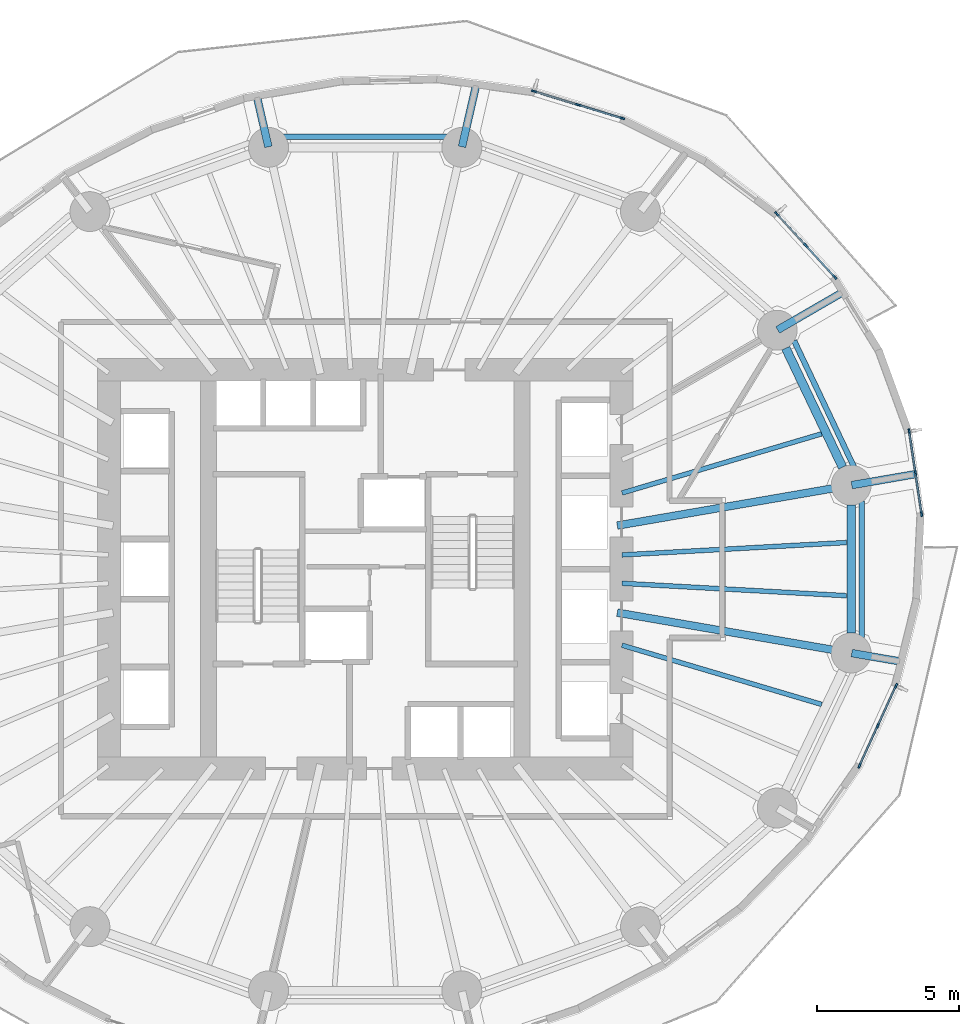
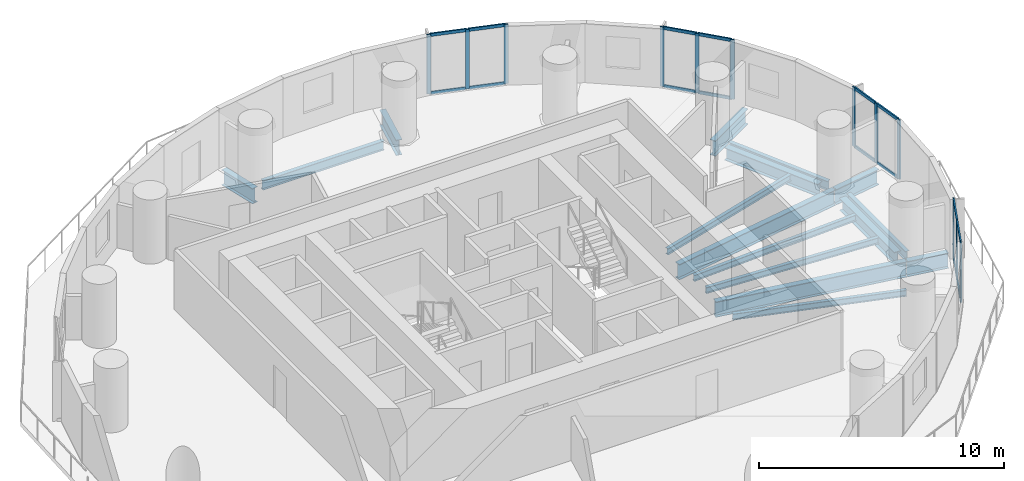
# One storey, part 5 of 13: 28 members, 16 beams, 4 elements without a shape of their own.
"""IFC4 building model written with IfcOpenShell, lengths in metres."""

from ifc_helpers import new_model, si_unit, direction, frame, origin, origin_2d, place, context, subcontext, project, spatial, rectangle, i_section, extrude, material, material_profile, profile_set, type_object, element, aggregate, save


model = new_model("IFC4")

# Units and contexts
model_context = context("Model", 3, precision=1e-05, world=origin(), true_north=direction((0.0, 1.0)))
body_context = subcontext(model_context, "Body", "Model", "MODEL_VIEW")
ifc_project = project(units=[si_unit("LENGTHUNIT", "METRE"), si_unit("AREAUNIT", "SQUARE_METRE"), si_unit("VOLUMEUNIT", "CUBIC_METRE"), si_unit("PLANEANGLEUNIT", "RADIAN"), si_unit("MASSUNIT", "GRAM", prefix="KILO")], contexts=[model_context])

# Site, building, storey
site_placement = place(None, origin())
site = spatial("IfcSite", under=ifc_project, at=site_placement, CompositionType="ELEMENT")
building_placement = place(site_placement, origin())
building = spatial("IfcBuilding", under=site, at=building_placement, Name="Veldorim Arch Residences", CompositionType="ELEMENT")
storey_placement = place(building_placement, frame((0.0, 0.0, 60.0)))
storey = spatial("IfcBuildingStorey", under=building, at=storey_placement, Name="L17", CompositionType="ELEMENT", Elevation=60.0)

# Beams
ifc_material_1 = material(Name="Steel S355", Category="steel")
ifc_material_profile_1 = material_profile(ifc_material_1, i_section(OverallWidth=0.30712890625, OverallDepth=0.6201171875, WebThickness=0.01416015625, FlangeThickness=0.023681640625, at=origin_2d()), Name="UB610x305x179")
ifc_profile_set_1 = profile_set([ifc_material_profile_1], Name="Steel S355")
beam_type_1 = type_object("IfcBeamType", Name="Structural Steel Beam UB610x305x179", PredefinedType="BEAM", material=ifc_profile_set_1)
beam_1_placement = place(storey_placement, frame((48.76416015625, 27.57763671875, -0.550048828125), z_axis=(-0.430776422552, 0.902458682585, 0.0), x_axis=(-0.902458682585, -0.430776422552, 0.0)))
element("IfcBeam", 1, at=beam_1_placement, inside=storey, type_object=beam_type_1, Name="L17 perimeter ring tie beam 01", PredefinedType="BEAM", context=body_context, shape_type="SweptSolid", body=[
    extrude(i_section(OverallWidth=0.30712890625, OverallDepth=0.6201171875, WebThickness=0.01416015625, FlangeThickness=0.023681640625, at=origin_2d()), origin(), (0.0, 0.0, 1.0), 4.63134765625),
])
beam_2_placement = place(storey_placement, frame((49.065673828125, 21.754150390625, -0.550048828125), z_axis=(0.0, 1.0, 0.0), x_axis=(-1.0, 0.0, 0.0)))
element("IfcBeam", 2, at=beam_2_placement, inside=storey, type_object=beam_type_1, Name="L17 perimeter ring tie beam 16", PredefinedType="BEAM", context=body_context, shape_type="SweptSolid", body=[
    extrude(i_section(OverallWidth=0.30712890625, OverallDepth=0.6201171875, WebThickness=0.01416015625, FlangeThickness=0.023681640625, at=origin_2d()), origin(), (0.0, 0.0, 1.0), 4.49169921875),
])
ifc_material_2 = material(Name="Steel S355", Category="steel")
ifc_material_profile_2 = material_profile(ifc_material_2, i_section(OverallWidth=0.26806640625, OverallDepth=0.769775390625, WebThickness=0.015625, FlangeThickness=0.025390625, at=origin_2d()), Name="UB762x267x197")
ifc_profile_set_2 = profile_set([ifc_material_profile_2], Name="Steel S355")
beam_type_2 = type_object("IfcBeamType", Name="Structural Steel GIRDER UB762x267x197", PredefinedType="USERDEFINED", material=ifc_profile_set_2)
beam_3_placement = place(storey_placement, frame((40.852294921875, 25.528076171875, -0.625), z_axis=(0.985427548249, 0.170095699979, 0.0), x_axis=(-0.170095699979, 0.985427548249, 0.0)))
element("IfcBeam", 3, at=beam_3_placement, inside=storey, type_object=beam_type_2, Name="L17 radial floor girder 01", ObjectType="GIRDER", PredefinedType="USERDEFINED", context=body_context, shape_type="SweptSolid", body=[
    extrude(i_section(OverallWidth=0.26806640625, OverallDepth=0.769775390625, WebThickness=0.015625, FlangeThickness=0.025390625, at=origin_2d()), origin(), (0.0, 0.0, 1.0), 8.314697265625),
])
beam_4_placement = place(storey_placement, frame((49.08544921875, 26.94921875, -0.625), z_axis=(0.985416557393, 0.170159361823, 0.0), x_axis=(-0.170159361823, 0.985416557393, 0.0)))
element("IfcBeam", 4, at=beam_4_placement, inside=storey, type_object=beam_type_2, Name="L17 radial edge cantilever girder 01", ObjectType="GIRDER", PredefinedType="USERDEFINED", context=body_context, shape_type="SweptSolid", body=[
    extrude(i_section(OverallWidth=0.26806640625, OverallDepth=0.769775390625, WebThickness=0.015625, FlangeThickness=0.025390625, at=origin_2d()), origin(), (0.0, 0.0, 1.0), 2.266845703125),
])
beam_5_placement = place(storey_placement, frame((46.48486328125, 32.399169921875, -0.625), z_axis=(0.865096946632, 0.501604697873, 0.0), x_axis=(-0.501604697873, 0.865096946632, 0.0)))
element("IfcBeam", 5, at=beam_5_placement, inside=storey, type_object=beam_type_2, Name="L17 radial edge cantilever girder 02", ObjectType="GIRDER", PredefinedType="USERDEFINED", context=body_context, shape_type="SweptSolid", body=[
    extrude(i_section(OverallWidth=0.26806640625, OverallDepth=0.769775390625, WebThickness=0.015625, FlangeThickness=0.025390625, at=origin_2d()), origin(), (0.0, 0.0, 1.0), 2.674560546875),
])
beam_6_placement = place(storey_placement, frame((35.399169921875, 38.829345703125, -0.625), z_axis=(0.223412195032, 0.974724058958, 0.0), x_axis=(-0.974724058958, 0.223412195032, 0.0)))
element("IfcBeam", 6, at=beam_6_placement, inside=storey, type_object=beam_type_2, Name="L17 radial edge cantilever girder 04", ObjectType="GIRDER", PredefinedType="USERDEFINED", context=body_context, shape_type="SweptSolid", body=[
    extrude(i_section(OverallWidth=0.26806640625, OverallDepth=0.769775390625, WebThickness=0.015625, FlangeThickness=0.025390625, at=origin_2d()), origin(), (0.0, 0.0, 1.0), 2.279541015625),
])
beam_7_placement = place(storey_placement, frame((28.600830078125, 38.829345703125, -0.625), z_axis=(-0.223430723237, 0.974719812004, 0.0), x_axis=(-0.974719812004, -0.223430723237, 0.0)))
element("IfcBeam", 7, at=beam_7_placement, inside=storey, type_object=beam_type_2, Name="L17 radial edge cantilever girder 05", ObjectType="GIRDER", PredefinedType="USERDEFINED", context=body_context, shape_type="SweptSolid", body=[
    extrude(i_section(OverallWidth=0.26806640625, OverallDepth=0.769775390625, WebThickness=0.015625, FlangeThickness=0.025390625, at=origin_2d()), origin(), (0.0, 0.0, 1.0), 1.85986328125),
])
beam_8_placement = place(storey_placement, frame((40.852294921875, 22.471923828125, -0.625), z_axis=(0.985427548249, -0.170095699979, 0.0), x_axis=(0.170095699979, 0.985427548249, 0.0)))
element("IfcBeam", 8, at=beam_8_placement, inside=storey, type_object=beam_type_2, Name="L17 radial floor girder 16", ObjectType="GIRDER", PredefinedType="USERDEFINED", context=body_context, shape_type="SweptSolid", body=[
    extrude(i_section(OverallWidth=0.26806640625, OverallDepth=0.769775390625, WebThickness=0.015625, FlangeThickness=0.025390625, at=origin_2d()), origin(), (0.0, 0.0, 1.0), 8.314697265625),
])
beam_9_placement = place(storey_placement, frame((49.08544921875, 21.05078125, -0.625), z_axis=(0.985421461272, -0.170130960336, 0.0), x_axis=(0.170130960336, 0.985421461272, 0.0)))
element("IfcBeam", 9, at=beam_9_placement, inside=storey, type_object=beam_type_2, Name="L17 radial edge cantilever girder 16", ObjectType="GIRDER", PredefinedType="USERDEFINED", context=body_context, shape_type="SweptSolid", body=[
    extrude(i_section(OverallWidth=0.26806640625, OverallDepth=0.769775390625, WebThickness=0.015625, FlangeThickness=0.025390625, at=origin_2d()), origin(), (0.0, 0.0, 1.0), 1.7880859375),
])
ifc_material_3 = material(Name="Steel S355", Category="steel")
ifc_material_profile_3 = material_profile(ifc_material_3, i_section(OverallWidth=0.165771484375, OverallDepth=0.306640625, WebThickness=0.006591796875, FlangeThickness=0.01171875, at=origin_2d()), Name="UB305x165x46")
ifc_profile_set_3 = profile_set([ifc_material_profile_3], Name="Steel S355")
beam_type_3 = type_object("IfcBeamType", Name="Structural Steel Joist UB305x165x46", PredefinedType="JOIST", material=ifc_profile_set_3)
for number, where, z_axis, x_axis, name in (
    (10, (41.019287109375, 26.67333984375, -0.393310546875), (0.958766778771, 0.284194060325, 0.0), (-0.284194060325, 0.958766778771, 0.0), "L17 secondary radial floor joist 01-1"),
    (11, (41.019287109375, 21.32666015625, -0.393310546875), (0.958766778771, -0.284194060325, 0.0), (0.284194060325, 0.958766778771, 0.0), "L17 secondary radial floor joist 15-2"),
):
    element("IfcBeam", number, at=place(storey_placement, frame(where, z_axis=z_axis, x_axis=x_axis)), inside=storey, type_object=beam_type_3, Name=name, PredefinedType="JOIST", context=body_context, shape_type="SweptSolid", body=[
        extrude(i_section(OverallWidth=0.165771484375, OverallDepth=0.306640625, WebThickness=0.006591796875, FlangeThickness=0.01171875, at=origin_2d()), origin(), (0.0, 0.0, 1.0), 7.3115234375),
    ])
for number, where, z_axis, x_axis, name in (
    (12, (41.02001953125, 23.501708984375, -0.393310546875), (0.998478371109, -0.055144740699, 0.0), (0.055144740699, 0.998478371109, 0.0), "L17 secondary radial floor joist 16-1"),
    (13, (41.02001953125, 24.498291015625, -0.393310546875), (0.998478371109, 0.055144740699, 0.0), (-0.055144740699, 0.998478371109, 0.0), "L17 secondary radial floor joist 16-2"),
):
    element("IfcBeam", number, at=place(storey_placement, frame(where, z_axis=z_axis, x_axis=x_axis)), inside=storey, type_object=beam_type_3, Name=name, PredefinedType="JOIST", context=body_context, shape_type="SweptSolid", body=[
        extrude(i_section(OverallWidth=0.165771484375, OverallDepth=0.306640625, WebThickness=0.006591796875, FlangeThickness=0.01171875, at=origin_2d()), origin(), (0.0, 0.0, 1.0), 7.898193359375),
    ])
ifc_material_4 = material(Name="Steel S355", Category="steel")
ifc_material_profile_4 = material_profile(ifc_material_4, i_section(OverallWidth=0.19140625, OverallDepth=0.4599609375, WebThickness=0.010009765625, FlangeThickness=0.01611328125, at=origin_2d()), Name="UB457x191x82")
ifc_profile_set_4 = profile_set([ifc_material_profile_4], Name="Steel S355")
beam_type_4 = type_object("IfcBeamType", Name="Structural Steel Spandrel UB457x191x82", PredefinedType="SPANDREL", material=ifc_profile_set_4)
beam_10_placement = place(storey_placement, frame((49.176025390625, 27.56689453125, -0.489990234375), z_axis=(-0.428847831425, 0.903376741721, 0.0), x_axis=(-0.903376741721, -0.428847831425, 0.0)))
element("IfcBeam", 14, at=beam_10_placement, inside=storey, type_object=beam_type_4, Name="L17 perimeter chord spandrel beam 01", PredefinedType="SPANDREL", context=body_context, shape_type="SweptSolid", body=[
    extrude(i_section(OverallWidth=0.19140625, OverallDepth=0.4599609375, WebThickness=0.010009765625, FlangeThickness=0.01611328125, at=origin_2d()), origin(), (0.0, 0.0, 1.0), 4.932861328125),
])
beam_11_placement = place(storey_placement, frame((34.863525390625, 39.180419921875, -0.489990234375), z_axis=(-1.0, 0.0, 0.0), x_axis=(0.0, -1.0, 0.0)))
element("IfcBeam", 15, at=beam_11_placement, inside=storey, type_object=beam_type_4, Name="L17 perimeter chord spandrel beam 04", PredefinedType="SPANDREL", context=body_context, shape_type="SweptSolid", body=[
    extrude(i_section(OverallWidth=0.19140625, OverallDepth=0.4599609375, WebThickness=0.010009765625, FlangeThickness=0.01611328125, at=origin_2d()), origin(), (0.0, 0.0, 1.0), 5.72705078125),
])
beam_12_placement = place(storey_placement, frame((49.440185546875, 21.60546875, -0.489990234375), z_axis=(0.0, 1.0, 0.0), x_axis=(-1.0, 0.0, 0.0)))
element("IfcBeam", 16, at=beam_12_placement, inside=storey, type_object=beam_type_4, Name="L17 perimeter chord spandrel beam 16", PredefinedType="SPANDREL", context=body_context, shape_type="SweptSolid", body=[
    extrude(i_section(OverallWidth=0.19140625, OverallDepth=0.4599609375, WebThickness=0.010009765625, FlangeThickness=0.01611328125, at=origin_2d()), origin(), (0.0, 0.0, 1.0), 4.7890625),
])

# Curtain wall, members
ifc_material_5 = material(Name="Aluminium", Category="aluminium")
curtain_wall_type = type_object("IfcCurtainWallType", Name="Zone 1 Acoustic Low-E Unitised Curtain Wall", PredefinedType="NOTDEFINED", material=ifc_material_5)
curtain_wall_1_placement = place(storey_placement, origin())
curtain_wall_1 = element("IfcCurtainWall", 17, at=curtain_wall_1_placement, inside=storey, type_object=curtain_wall_type, Name="L17 unitised curtain wall bay 03", PredefinedType="NOTDEFINED")
ifc_material_6 = material(Name="Aluminium", Category="aluminium")
ifc_material_profile_5 = material_profile(ifc_material_6, rectangle(XDim=0.06494140625, YDim=0.175048828125, at=origin_2d()), Name="ALU_MUL_65x175")
ifc_profile_set_5 = profile_set([ifc_material_profile_5], Name="Aluminium")
member_type_1 = type_object("IfcMemberType", Name="Zone 1 Acoustic Low-E Unitised Curtain Wall Mullion 65x175", PredefinedType="MULLION", material=ifc_profile_set_5)
member_1_placement = place(storey_placement, frame((46.451904296875, 36.47900390625, 0.0), z_axis=(0.0, 0.0, 1.0), x_axis=(0.737193171901, 0.675682046012, 0.0)))
member_1 = element("IfcMember", 18, at=member_1_placement, type_object=member_type_1, Name="CW-Z1 mullion 1", PredefinedType="MULLION", context=body_context, shape_type="SweptSolid", body=[
    extrude(rectangle(XDim=0.06494140625, YDim=0.175048828125, at=origin_2d()), origin(), (0.0, 0.0, 1.0), 2.9599609375),
])
member_2_placement = place(storey_placement, frame((47.4716796875, 35.3662109375, 0.0), z_axis=(0.0, 0.0, 1.0), x_axis=(0.737193171901, 0.675682046012, 0.0)))
member_2 = element("IfcMember", 19, at=member_2_placement, type_object=member_type_1, Name="CW-Z1 mullion 2", PredefinedType="MULLION", context=body_context, shape_type="SweptSolid", body=[
    extrude(rectangle(XDim=0.06494140625, YDim=0.175048828125, at=origin_2d()), origin(), (0.0, 0.0, 1.0), 2.9599609375),
])
member_3_placement = place(storey_placement, frame((48.49169921875, 34.25341796875, 0.0), z_axis=(0.0, 0.0, 1.0), x_axis=(0.737193171901, 0.675682046012, 0.0)))
member_3 = element("IfcMember", 20, at=member_3_placement, type_object=member_type_1, Name="CW-Z1 mullion 3", PredefinedType="MULLION", context=body_context, shape_type="SweptSolid", body=[
    extrude(rectangle(XDim=0.06494140625, YDim=0.175048828125, at=origin_2d()), origin(), (0.0, 0.0, 1.0), 2.9599609375),
])

curtain_wall_2_placement = place(storey_placement, origin())
curtain_wall_2 = element("IfcCurtainWall", 21, at=curtain_wall_2_placement, inside=storey, type_object=curtain_wall_type, Name="L17 unitised curtain wall bay 06", PredefinedType="NOTDEFINED")
member_4_placement = place(storey_placement, frame((37.924560546875, 40.78173828125, 0.0), z_axis=(0.0, 0.0, 1.0), x_axis=(0.292851853901, 0.956157827802, 0.0)))
member_4 = element("IfcMember", 22, at=member_4_placement, type_object=member_type_1, Name="CW-Z1 mullion 1", PredefinedType="MULLION", context=body_context, shape_type="SweptSolid", body=[
    extrude(rectangle(XDim=0.06494140625, YDim=0.175048828125, at=origin_2d()), origin(), (0.0, 0.0, 1.0), 2.9599609375),
])
member_5_placement = place(storey_placement, frame((39.4755859375, 40.306640625, 0.0), z_axis=(0.0, 0.0, 1.0), x_axis=(0.292851853901, 0.956157827802, 0.0)))
member_5 = element("IfcMember", 23, at=member_5_placement, type_object=member_type_1, Name="CW-Z1 mullion 2", PredefinedType="MULLION", context=body_context, shape_type="SweptSolid", body=[
    extrude(rectangle(XDim=0.06494140625, YDim=0.175048828125, at=origin_2d()), origin(), (0.0, 0.0, 1.0), 2.9599609375),
])
member_6_placement = place(storey_placement, frame((41.026611328125, 39.83154296875, 0.0), z_axis=(0.0, 0.0, 1.0), x_axis=(0.292851853901, 0.956157827802, 0.0)))
member_6 = element("IfcMember", 24, at=member_6_placement, type_object=member_type_1, Name="CW-Z1 mullion 3", PredefinedType="MULLION", context=body_context, shape_type="SweptSolid", body=[
    extrude(rectangle(XDim=0.06494140625, YDim=0.175048828125, at=origin_2d()), origin(), (0.0, 0.0, 1.0), 2.9599609375),
])

curtain_wall_3_placement = place(storey_placement, origin())
curtain_wall_3 = element("IfcCurtainWall", 25, at=curtain_wall_3_placement, inside=storey, type_object=curtain_wall_type, Name="L17 unitised curtain wall bay 33", PredefinedType="NOTDEFINED")
member_7_placement = place(storey_placement, frame((50.6435546875, 19.9033203125, 0.0), z_axis=(0.0, 0.0, 1.0), x_axis=(0.909302816235, -0.416135060272, 0.0)))
member_7 = element("IfcMember", 26, at=member_7_placement, type_object=member_type_1, Name="CW-Z1 mullion 1", PredefinedType="MULLION", context=body_context, shape_type="SweptSolid", body=[
    extrude(rectangle(XDim=0.06494140625, YDim=0.175048828125, at=origin_2d()), origin(), (0.0, 0.0, 1.0), 2.9599609375),
])
member_8_placement = place(storey_placement, frame((50.000732421875, 18.49853515625, 0.0), z_axis=(0.0, 0.0, 1.0), x_axis=(0.909302816235, -0.416135060272, 0.0)))
member_8 = element("IfcMember", 27, at=member_8_placement, type_object=member_type_1, Name="CW-Z1 mullion 2", PredefinedType="MULLION", context=body_context, shape_type="SweptSolid", body=[
    extrude(rectangle(XDim=0.06494140625, YDim=0.175048828125, at=origin_2d()), origin(), (0.0, 0.0, 1.0), 2.9599609375),
])
member_9_placement = place(storey_placement, frame((49.35791015625, 17.093994140625, 0.0), z_axis=(0.0, 0.0, 1.0), x_axis=(0.909302816235, -0.416135060272, 0.0)))
member_9 = element("IfcMember", 28, at=member_9_placement, type_object=member_type_1, Name="CW-Z1 mullion 3", PredefinedType="MULLION", context=body_context, shape_type="SweptSolid", body=[
    extrude(rectangle(XDim=0.06494140625, YDim=0.175048828125, at=origin_2d()), origin(), (0.0, 0.0, 1.0), 2.9599609375),
])

curtain_wall_4_placement = place(storey_placement, origin())
curtain_wall_4 = element("IfcCurtainWall", 29, at=curtain_wall_4_placement, inside=storey, type_object=curtain_wall_type, Name="L17 unitised curtain wall bay 36", PredefinedType="NOTDEFINED")
member_10_placement = place(storey_placement, frame((51.10400390625, 28.83837890625, 0.0), z_axis=(0.0, 0.0, 1.0), x_axis=(0.988941483507, 0.148306244637, 0.0)))
member_10 = element("IfcMember", 30, at=member_10_placement, type_object=member_type_1, Name="CW-Z1 mullion 1", PredefinedType="MULLION", context=body_context, shape_type="SweptSolid", body=[
    extrude(rectangle(XDim=0.06494140625, YDim=0.175048828125, at=origin_2d()), origin(), (0.0, 0.0, 1.0), 2.9599609375),
])
member_11_placement = place(storey_placement, frame((51.32177734375, 27.38623046875, 0.0), z_axis=(0.0, 0.0, 1.0), x_axis=(0.988941483507, 0.148306244637, 0.0)))
member_11 = element("IfcMember", 31, at=member_11_placement, type_object=member_type_1, Name="CW-Z1 mullion 2", PredefinedType="MULLION", context=body_context, shape_type="SweptSolid", body=[
    extrude(rectangle(XDim=0.06494140625, YDim=0.175048828125, at=origin_2d()), origin(), (0.0, 0.0, 1.0), 2.9599609375),
])
member_12_placement = place(storey_placement, frame((51.53955078125, 25.93408203125, 0.0), z_axis=(0.0, 0.0, 1.0), x_axis=(0.988941483507, 0.148306244637, 0.0)))
member_12 = element("IfcMember", 32, at=member_12_placement, type_object=member_type_1, Name="CW-Z1 mullion 3", PredefinedType="MULLION", context=body_context, shape_type="SweptSolid", body=[
    extrude(rectangle(XDim=0.06494140625, YDim=0.175048828125, at=origin_2d()), origin(), (0.0, 0.0, 1.0), 2.9599609375),
])

# Member
ifc_material_7 = material(Name="Aluminium", Category="aluminium")
ifc_material_profile_6 = material_profile(ifc_material_7, rectangle(XDim=0.06494140625, YDim=0.14990234375, at=origin_2d()), Name="ALU_TRN_65x150")
ifc_profile_set_6 = profile_set([ifc_material_profile_6], Name="Aluminium")
member_type_2 = type_object("IfcMemberType", Name="Zone 1 Acoustic Low-E Unitised Curtain Wall Transom 65x150", PredefinedType="USERDEFINED", material=ifc_profile_set_6)
member_13_placement = place(storey_placement, frame((46.473876953125, 36.455078125, 0.032470703125), z_axis=(0.67567870909, -0.737196230378, 0.0), x_axis=(0.737196230378, 0.67567870909, 0.0)))
member_13 = element("IfcMember", 33, at=member_13_placement, type_object=member_type_2, Name="CW-Z1 transom 1.1", ObjectType="TRANSOM", PredefinedType="USERDEFINED", context=body_context, shape_type="SweptSolid", body=[
    extrude(rectangle(XDim=0.06494140625, YDim=0.14990234375, at=origin_2d()), origin(), (0.0, 0.0, 1.0), 1.444580078125),
])

member_14_placement = place(storey_placement, frame((46.473876953125, 36.455078125, 2.927490234375), z_axis=(0.67567870909, -0.737196230378, 0.0), x_axis=(0.737196230378, 0.67567870909, 0.0)))
member_14 = element("IfcMember", 34, at=member_14_placement, type_object=member_type_2, Name="CW-Z1 transom 1.2", ObjectType="TRANSOM", PredefinedType="USERDEFINED", context=body_context, shape_type="SweptSolid", body=[
    extrude(rectangle(XDim=0.06494140625, YDim=0.14990234375, at=origin_2d()), origin(), (0.0, 0.0, 1.0), 1.444580078125),
])

member_15_placement = place(storey_placement, frame((47.49365234375, 35.34228515625, 0.032470703125), z_axis=(0.67567870909, -0.737196230378, 0.0), x_axis=(0.737196230378, 0.67567870909, 0.0)))
member_15 = element("IfcMember", 35, at=member_15_placement, type_object=member_type_2, Name="CW-Z1 transom 2.1", ObjectType="TRANSOM", PredefinedType="USERDEFINED", context=body_context, shape_type="SweptSolid", body=[
    extrude(rectangle(XDim=0.06494140625, YDim=0.14990234375, at=origin_2d()), origin(), (0.0, 0.0, 1.0), 1.444580078125),
])

member_16_placement = place(storey_placement, frame((47.49365234375, 35.34228515625, 2.927490234375), z_axis=(0.67567870909, -0.737196230378, 0.0), x_axis=(0.737196230378, 0.67567870909, 0.0)))
member_16 = element("IfcMember", 36, at=member_16_placement, type_object=member_type_2, Name="CW-Z1 transom 2.2", ObjectType="TRANSOM", PredefinedType="USERDEFINED", context=body_context, shape_type="SweptSolid", body=[
    extrude(rectangle(XDim=0.06494140625, YDim=0.14990234375, at=origin_2d()), origin(), (0.0, 0.0, 1.0), 1.444580078125),
])

aggregate(curtain_wall_1, [member_1, member_2, member_3, member_13, member_14, member_15, member_16])

member_17_placement = place(storey_placement, frame((37.95556640625, 40.772216796875, 0.032470703125), z_axis=(0.956157856937, -0.292851758773, 0.0), x_axis=(0.292851758773, 0.956157856937, 0.0)))
member_17 = element("IfcMember", 37, at=member_17_placement, type_object=member_type_2, Name="CW-Z1 transom 1.1", ObjectType="TRANSOM", PredefinedType="USERDEFINED", context=body_context, shape_type="SweptSolid", body=[
    extrude(rectangle(XDim=0.06494140625, YDim=0.14990234375, at=origin_2d()), origin(), (0.0, 0.0, 1.0), 1.557373046875),
])

member_18_placement = place(storey_placement, frame((37.95556640625, 40.772216796875, 2.927490234375), z_axis=(0.956157856937, -0.292851758773, 0.0), x_axis=(0.292851758773, 0.956157856937, 0.0)))
member_18 = element("IfcMember", 38, at=member_18_placement, type_object=member_type_2, Name="CW-Z1 transom 1.2", ObjectType="TRANSOM", PredefinedType="USERDEFINED", context=body_context, shape_type="SweptSolid", body=[
    extrude(rectangle(XDim=0.06494140625, YDim=0.14990234375, at=origin_2d()), origin(), (0.0, 0.0, 1.0), 1.557373046875),
])

member_19_placement = place(storey_placement, frame((39.506591796875, 40.297119140625, 0.032470703125), z_axis=(0.956144408733, -0.292895663416, 0.0), x_axis=(0.292895663416, 0.956144408733, 0.0)))
member_19 = element("IfcMember", 39, at=member_19_placement, type_object=member_type_2, Name="CW-Z1 transom 2.1", ObjectType="TRANSOM", PredefinedType="USERDEFINED", context=body_context, shape_type="SweptSolid", body=[
    extrude(rectangle(XDim=0.06494140625, YDim=0.14990234375, at=origin_2d()), origin(), (0.0, 0.0, 1.0), 1.55712890625),
])

member_20_placement = place(storey_placement, frame((39.506591796875, 40.297119140625, 2.927490234375), z_axis=(0.956144408733, -0.292895663416, 0.0), x_axis=(0.292895663416, 0.956144408733, 0.0)))
member_20 = element("IfcMember", 40, at=member_20_placement, type_object=member_type_2, Name="CW-Z1 transom 2.2", ObjectType="TRANSOM", PredefinedType="USERDEFINED", context=body_context, shape_type="SweptSolid", body=[
    extrude(rectangle(XDim=0.06494140625, YDim=0.14990234375, at=origin_2d()), origin(), (0.0, 0.0, 1.0), 1.55712890625),
])

aggregate(curtain_wall_2, [member_4, member_5, member_6, member_17, member_18, member_19, member_20])

member_21_placement = place(storey_placement, frame((50.6298828125, 19.873779296875, 0.032470703125), z_axis=(-0.416063841269, -0.909335405661, 0.0), x_axis=(0.909335405661, -0.416063841269, 0.0)))
member_21 = element("IfcMember", 41, at=member_21_placement, type_object=member_type_2, Name="CW-Z1 transom 1.1", ObjectType="TRANSOM", PredefinedType="USERDEFINED", context=body_context, shape_type="SweptSolid", body=[
    extrude(rectangle(XDim=0.06494140625, YDim=0.14990234375, at=origin_2d()), origin(), (0.0, 0.0, 1.0), 1.47998046875),
])

member_22_placement = place(storey_placement, frame((50.6298828125, 19.873779296875, 2.927490234375), z_axis=(-0.416063841269, -0.909335405661, 0.0), x_axis=(0.909335405661, -0.416063841269, 0.0)))
member_22 = element("IfcMember", 42, at=member_22_placement, type_object=member_type_2, Name="CW-Z1 transom 1.2", ObjectType="TRANSOM", PredefinedType="USERDEFINED", context=body_context, shape_type="SweptSolid", body=[
    extrude(rectangle(XDim=0.06494140625, YDim=0.14990234375, at=origin_2d()), origin(), (0.0, 0.0, 1.0), 1.47998046875),
])

member_23_placement = place(storey_placement, frame((49.987060546875, 18.468994140625, 0.032470703125), z_axis=(-0.41612626609, -0.909306840769, 0.0), x_axis=(0.909306840769, -0.41612626609, 0.0)))
member_23 = element("IfcMember", 43, at=member_23_placement, type_object=member_type_2, Name="CW-Z1 transom 2.1", ObjectType="TRANSOM", PredefinedType="USERDEFINED", context=body_context, shape_type="SweptSolid", body=[
    extrude(rectangle(XDim=0.06494140625, YDim=0.14990234375, at=origin_2d()), origin(), (0.0, 0.0, 1.0), 1.479736328125),
])

member_24_placement = place(storey_placement, frame((49.987060546875, 18.468994140625, 2.927490234375), z_axis=(-0.41612626609, -0.909306840769, 0.0), x_axis=(0.909306840769, -0.41612626609, 0.0)))
member_24 = element("IfcMember", 44, at=member_24_placement, type_object=member_type_2, Name="CW-Z1 transom 2.2", ObjectType="TRANSOM", PredefinedType="USERDEFINED", context=body_context, shape_type="SweptSolid", body=[
    extrude(rectangle(XDim=0.06494140625, YDim=0.14990234375, at=origin_2d()), origin(), (0.0, 0.0, 1.0), 1.479736328125),
])

aggregate(curtain_wall_3, [member_7, member_8, member_9, member_21, member_22, member_23, member_24])

member_25_placement = place(storey_placement, frame((51.10888671875, 28.806396484375, 0.032470703125), z_axis=(0.148212853592, -0.988955484352, 0.0), x_axis=(0.988955484352, 0.148212853592, 0.0)))
member_25 = element("IfcMember", 45, at=member_25_placement, type_object=member_type_2, Name="CW-Z1 transom 1.1", ObjectType="TRANSOM", PredefinedType="USERDEFINED", context=body_context, shape_type="SweptSolid", body=[
    extrude(rectangle(XDim=0.06494140625, YDim=0.14990234375, at=origin_2d()), origin(), (0.0, 0.0, 1.0), 1.4033203125),
])

member_26_placement = place(storey_placement, frame((51.10888671875, 28.806396484375, 2.927490234375), z_axis=(0.148212853592, -0.988955484352, 0.0), x_axis=(0.988955484352, 0.148212853592, 0.0)))
member_26 = element("IfcMember", 46, at=member_26_placement, type_object=member_type_2, Name="CW-Z1 transom 1.2", ObjectType="TRANSOM", PredefinedType="USERDEFINED", context=body_context, shape_type="SweptSolid", body=[
    extrude(rectangle(XDim=0.06494140625, YDim=0.14990234375, at=origin_2d()), origin(), (0.0, 0.0, 1.0), 1.4033203125),
])

member_27_placement = place(storey_placement, frame((51.32666015625, 27.35400390625, 0.032470703125), z_axis=(0.148212853592, -0.988955484352, 0.0), x_axis=(0.988955484352, 0.148212853592, 0.0)))
member_27 = element("IfcMember", 47, at=member_27_placement, type_object=member_type_2, Name="CW-Z1 transom 2.1", ObjectType="TRANSOM", PredefinedType="USERDEFINED", context=body_context, shape_type="SweptSolid", body=[
    extrude(rectangle(XDim=0.06494140625, YDim=0.14990234375, at=origin_2d()), origin(), (0.0, 0.0, 1.0), 1.4033203125),
])

member_28_placement = place(storey_placement, frame((51.32666015625, 27.35400390625, 2.927490234375), z_axis=(0.148212853592, -0.988955484352, 0.0), x_axis=(0.988955484352, 0.148212853592, 0.0)))
member_28 = element("IfcMember", 48, at=member_28_placement, type_object=member_type_2, Name="CW-Z1 transom 2.2", ObjectType="TRANSOM", PredefinedType="USERDEFINED", context=body_context, shape_type="SweptSolid", body=[
    extrude(rectangle(XDim=0.06494140625, YDim=0.14990234375, at=origin_2d()), origin(), (0.0, 0.0, 1.0), 1.4033203125),
])

aggregate(curtain_wall_4, [member_10, member_11, member_12, member_25, member_26, member_27, member_28])

save(model, "model.ifc")
